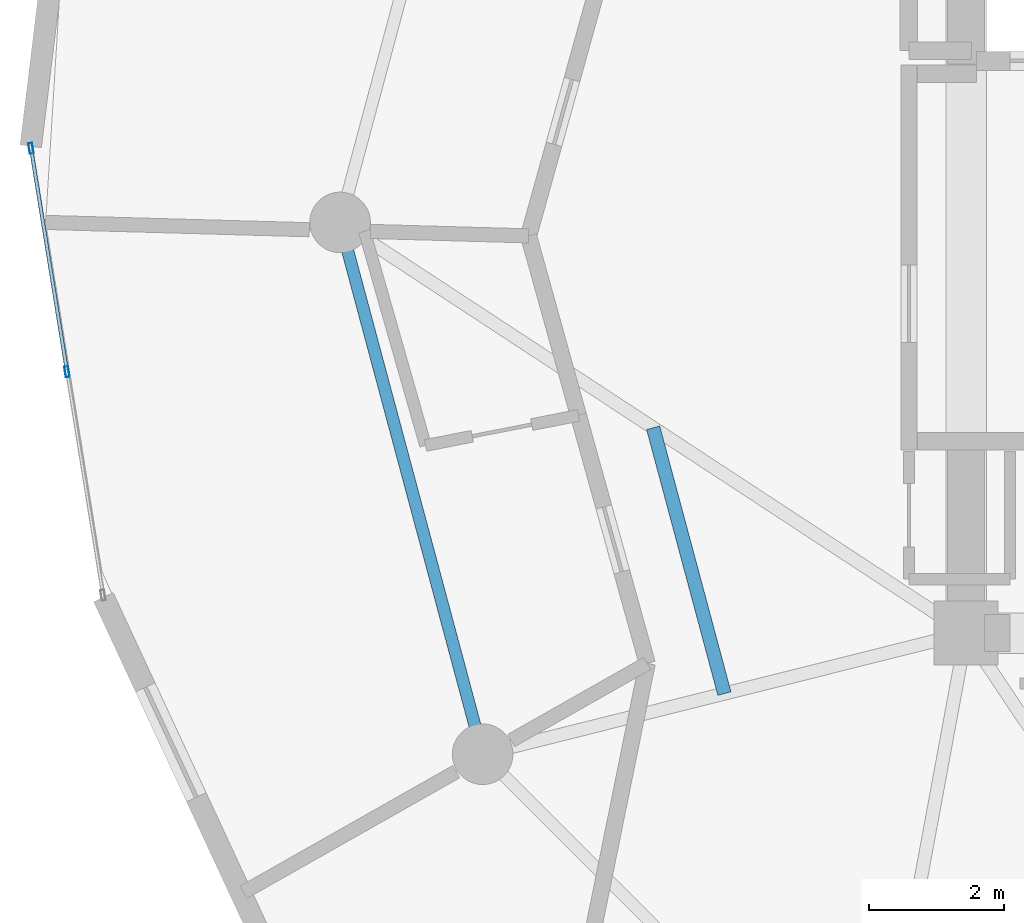
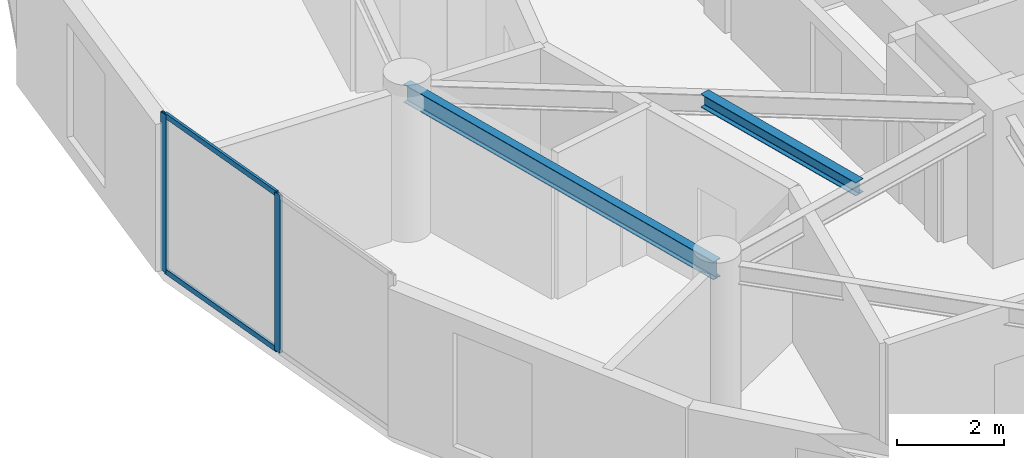
# One storey, part 7 of 22: 4 members, 2 beams, 1 element without a shape of its own.
"""IFC4 building model written with IfcOpenShell, lengths in metres."""

from ifc_helpers import new_model, si_unit, direction, frame, origin, origin_2d, place, context, subcontext, project, spatial, hollow_rectangle, i_section, extrude, source, transform, mapped, material, layer, layer_set, material_profile, profile_set, type_object, element, aggregate, save


model = new_model("IFC4")

# Units and contexts
model_context = context("Model", 3, precision=1e-05, world=origin(), true_north=direction((0.0, 1.0)))
body_context = subcontext(model_context, "Body", "Model", "MODEL_VIEW")
ifc_project = project(units=[si_unit("LENGTHUNIT", "METRE"), si_unit("AREAUNIT", "SQUARE_METRE"), si_unit("VOLUMEUNIT", "CUBIC_METRE"), si_unit("PLANEANGLEUNIT", "RADIAN"), si_unit("MASSUNIT", "GRAM", prefix="KILO")], contexts=[model_context])

# Site, building, storey
site_placement = place(None, origin())
site = spatial("IfcSite", under=ifc_project, at=site_placement, CompositionType="ELEMENT")
building_placement = place(site_placement, origin())
building = spatial("IfcBuilding", under=site, at=building_placement, Name="Solvirekh Grand Hotel", CompositionType="ELEMENT")
storey_placement = place(building_placement, frame((0.0, 0.0, 227.199951171875)))
storey = spatial("IfcBuildingStorey", under=building, at=storey_placement, Name="L59", CompositionType="ELEMENT", Elevation=227.199951171875)

# Beams
ifc_material_1 = material(Name="Steel S355", Category="steel")
ifc_material_profile_1 = material_profile(ifc_material_1, i_section(OverallWidth=0.202880859375, OverallDepth=0.302978515625, WebThickness=0.008056640625, FlangeThickness=0.012939453125, FilletRadius=0.010009765625, at=origin_2d()), Name="W310X60")
ifc_profile_set_1 = profile_set([ifc_material_profile_1], Name="Steel S355")
beam_type_1 = type_object("IfcBeamType", Name="Joist_Floor_W310", PredefinedType="JOIST", material=ifc_profile_set_1)
beam_1_placement = place(storey_placement, frame((-11.14990234375, -3.050048828125, 3.208984375), z_axis=(0.25892209236, -0.965898208968, 0.0), x_axis=(0.965898208968, 0.25892209236, 0.0)))
element("IfcBeam", 1, at=beam_1_placement, inside=storey, type_object=beam_type_1, Name="L59 secondary composite floor joist 7", PredefinedType="JOIST", context=body_context, shape_type="SweptSolid", body=[
    extrude(i_section(OverallWidth=0.202880859375, OverallDepth=0.302978515625, WebThickness=0.008056640625, FlangeThickness=0.012939453125, FilletRadius=0.010009765625, at=origin_2d()), origin(), (0.0, 0.0, 1.0), 4.08935546875),
])
ifc_material_profile_2 = material_profile(ifc_material_1, i_section(OverallWidth=0.180908203125, OverallDepth=0.4169921875, WebThickness=0.010009765625, FlangeThickness=0.01611328125, FilletRadius=0.011962890625, at=origin_2d()), Name="W410X85")
ifc_profile_set_2 = profile_set([ifc_material_profile_2], Name="Steel S355")
beam_type_2 = type_object("IfcBeamType", Name="Spandrel_Ring_W410", PredefinedType="SPANDREL", material=ifc_profile_set_2)
beam_2_placement = place(storey_placement, frame((-15.800048828125, 0.0, 3.152099609375), z_axis=(0.258838541915, -0.965920601923, 0.0), x_axis=(0.965920601923, 0.258838541915, 0.0)))
element("IfcBeam", 2, at=beam_2_placement, inside=storey, type_object=beam_type_2, Name="L59 perimeter spandrel beam 7", PredefinedType="SPANDREL", context=body_context, shape_type="SweptSolid", body=[
    extrude(i_section(OverallWidth=0.180908203125, OverallDepth=0.4169921875, WebThickness=0.010009765625, FlangeThickness=0.01611328125, FilletRadius=0.011962890625, at=origin_2d()), origin(), (0.0, 0.0, 1.0), 8.1787109375),
])

# Curtain wall, members
ifc_material_2 = material(Name="Anodized Bronze Aluminium 6063-T6", Category="aluminium")
ifc_layer = layer(ifc_material_2, 0.159912109375)
ifc_layer_set = layer_set([ifc_layer], Name="Anodized Bronze Aluminium 6063-T6")
curtain_wall_type = type_object("IfcCurtainWallType", Name="CW_Sys4_HighZoneFlushBronzeCW", PredefinedType="NOTDEFINED", material=ifc_layer_set)
curtain_wall_placement = place(storey_placement, origin())
curtain_wall = element("IfcCurtainWall", 3, at=curtain_wall_placement, inside=storey, type_object=curtain_wall_type, Name="L59 unitised bronze-glass curtain wall CW-L59-C15", PredefinedType="NOTDEFINED")
ifc_material_profile_3 = material_profile(ifc_material_2, hollow_rectangle(XDim=0.06005859375, YDim=0.159912109375, WallThickness=0.0048828125, at=origin_2d()), Name="ALU RHS 160X60X5")
ifc_profile_set_3 = profile_set([ifc_material_profile_3], Name="Anodized Bronze Aluminium 6063-T6")
member_type_1 = type_object("IfcMemberType", Name="CWMullion_Sys4", PredefinedType="MULLION", material=ifc_profile_set_3)
shared_shape_1 = source(origin(), body_context, "Body", "SweptSolid", [
    extrude(hollow_rectangle(XDim=0.06005859375, YDim=0.159912109375, WallThickness=0.0048828125, at=origin_2d()), origin(), (0.0, 0.0, 1.0), 3.60009765625),
])
member_1_placement = place(storey_placement, frame((-20.39111328125, 1.101318359375, 0.0), z_axis=(0.0, 0.0, 1.0), x_axis=(0.987252328188, 0.159162936916, 0.0)))
member_1 = element("IfcMember", 4, at=member_1_placement, type_object=member_type_1, Name="U04 mullion 1", PredefinedType="MULLION", context=body_context, shape_type="MappedRepresentation", body=[
    mapped(shared_shape_1, transform((0.0, 0.0, 0.0), x_axis=(1.0, 0.0, 0.0), y_axis=(0.0, 1.0, 0.0), z_axis=(0.0, 0.0, 1.0), scale=1.0)),
])
member_2_placement = place(storey_placement, frame((-19.85595703125, -2.218505859375, 0.0), z_axis=(0.0, 0.0, 1.0), x_axis=(0.987252328188, 0.159162936916, 0.0)))
member_2 = element("IfcMember", 5, at=member_2_placement, type_object=member_type_1, Name="U04 mullion 2", PredefinedType="MULLION", context=body_context, shape_type="MappedRepresentation", body=[
    mapped(shared_shape_1, transform((0.0, 0.0, 0.0), x_axis=(1.0, 0.0, 0.0), y_axis=(0.0, 1.0, 0.0), z_axis=(0.0, 0.0, 1.0), scale=1.0)),
])
ifc_material_profile_4 = material_profile(ifc_material_2, hollow_rectangle(XDim=0.054931640625, YDim=0.1201171875, WallThickness=0.00390625, at=origin_2d()), Name="ALU RHS 120X55X4")
ifc_profile_set_4 = profile_set([ifc_material_profile_4], Name="Anodized Bronze Aluminium 6063-T6")
member_type_2 = type_object("IfcMemberType", Name="CWTransom_Sys4", PredefinedType="USERDEFINED", material=ifc_profile_set_4)
shared_shape_2 = source(origin(), body_context, "Body", "SweptSolid", [
    extrude(hollow_rectangle(XDim=0.054931640625, YDim=0.1201171875, WallThickness=0.00390625, at=origin_2d()), origin(), (0.0, 0.0, 1.0), 3.302734375),
])
member_3_placement = place(storey_placement, frame((-20.386474609375, 1.07177734375, 0.027587890625), z_axis=(0.159146449908, -0.987254986051, 0.0), x_axis=(0.987254986051, 0.159146449908, 0.0)))
member_3 = element("IfcMember", 6, at=member_3_placement, type_object=member_type_2, Name="U04 transom 1.1", ObjectType="TRANSOM", PredefinedType="USERDEFINED", context=body_context, shape_type="MappedRepresentation", body=[
    mapped(shared_shape_2, transform((0.0, 0.0, 0.0), x_axis=(1.0, 0.0, 0.0), y_axis=(0.0, 1.0, 0.0), z_axis=(0.0, 0.0, 1.0), scale=1.0)),
])
member_4_placement = place(storey_placement, frame((-20.386474609375, 1.07177734375, 3.572509765625), z_axis=(0.159146449908, -0.987254986051, 0.0), x_axis=(0.987254986051, 0.159146449908, 0.0)))
member_4 = element("IfcMember", 7, at=member_4_placement, type_object=member_type_2, Name="U04 transom 1.2", ObjectType="TRANSOM", PredefinedType="USERDEFINED", context=body_context, shape_type="MappedRepresentation", body=[
    mapped(shared_shape_2, transform((0.0, 0.0, 0.0), x_axis=(1.0, 0.0, 0.0), y_axis=(0.0, 1.0, 0.0), z_axis=(0.0, 0.0, 1.0), scale=1.0)),
])
aggregate(curtain_wall, [member_1, member_2, member_3, member_4])

save(model, "model.ifc")
